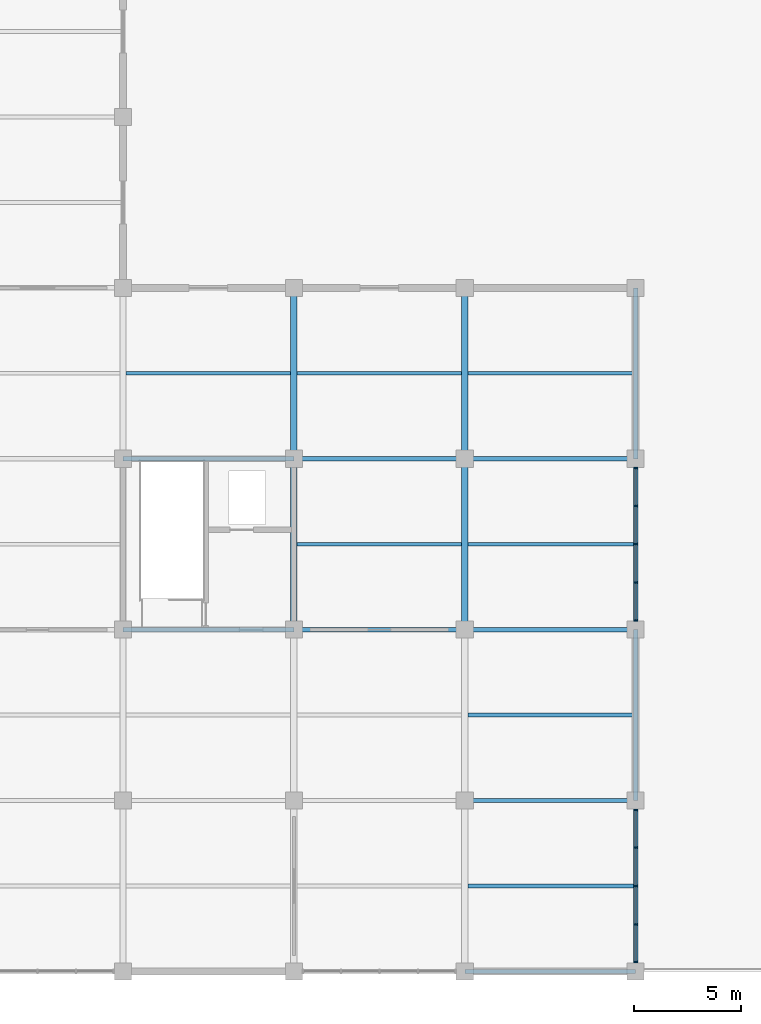
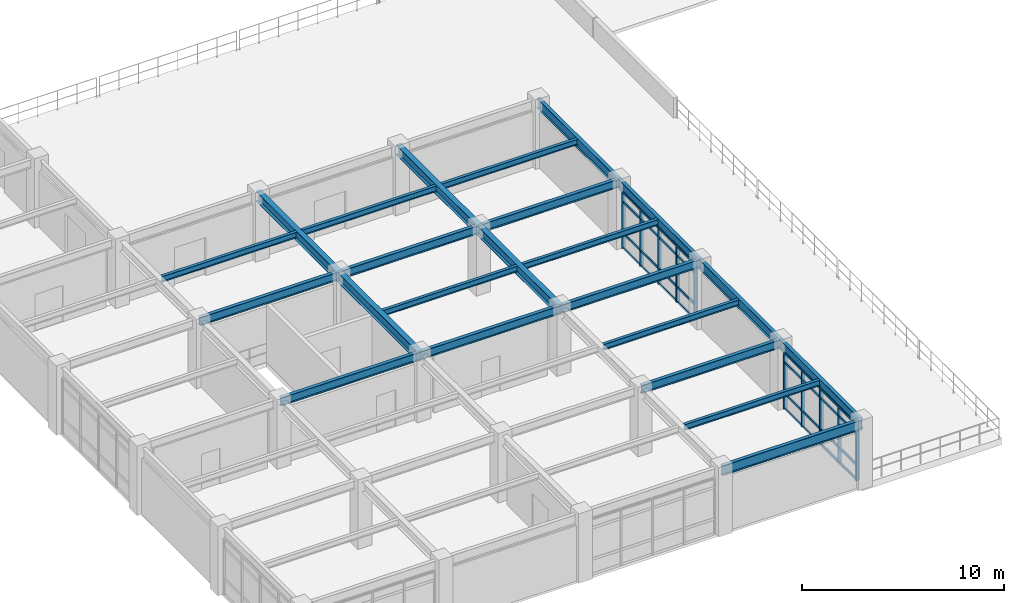
# One storey, part 35 of 118: 42 members, 23 beams, 2 elements without a shape of their own.
"""IFC4 building model written with IfcOpenShell, lengths in metres."""

from ifc_helpers import new_model, si_unit, direction, frame, origin, origin_2d, place, context, subcontext, project, spatial, rectangle, i_section, extrude, material, layer, layer_set, material_profile, profile_set, type_object, element, aggregate, save


model = new_model("IFC4")

# Units and contexts
model_context = context("Model", 3, precision=1e-05, world=origin(), true_north=direction((0.0, 1.0)))
body_context = subcontext(model_context, "Body", "Model", "MODEL_VIEW")
ifc_project = project(units=[si_unit("LENGTHUNIT", "METRE"), si_unit("AREAUNIT", "SQUARE_METRE"), si_unit("VOLUMEUNIT", "CUBIC_METRE"), si_unit("PLANEANGLEUNIT", "RADIAN"), si_unit("MASSUNIT", "GRAM", prefix="KILO")], contexts=[model_context])

# Site, building, storey
site_placement = place(None, origin())
site = spatial("IfcSite", under=ifc_project, at=site_placement, CompositionType="ELEMENT")
building_placement = place(site_placement, origin())
building = spatial("IfcBuilding", under=site, at=building_placement, Name="Haebicheon Civic Stadium", CompositionType="ELEMENT")
storey_placement = place(building_placement, frame((0.0, 0.0, 14.39990234375)))
storey = spatial("IfcBuildingStorey", under=building, at=storey_placement, Name="L04", CompositionType="ELEMENT", Elevation=14.39990234375)

# Beams
ifc_material_1 = material(Name="Steel SM355 (S355)", Category="steel")
ifc_material_profile_1 = material_profile(ifc_material_1, i_section(OverallWidth=0.199951171875, OverallDepth=0.5, WebThickness=0.010009765625, FlangeThickness=0.01611328125, at=origin_2d()), Name="H-500x200x10x16")
ifc_profile_set_1 = profile_set([ifc_material_profile_1], Name="Steel SM355 (S355)")
beam_type_1 = type_object("IfcBeamType", Name="BM-ST-H500", PredefinedType="BEAM", material=ifc_profile_set_1)
for number, where, z_axis, x_axis, name in (
    (1, (168.0, 16.0, 3.72998046875), (1.0, 0.0, 0.0), (0.0, 1.0, 0.0), "L04 beam C/22-23"),
    (2, (168.0, 24.0, 3.72998046875), (1.0, 0.0, 0.0), (0.0, 1.0, 0.0), "L04 beam D/22-23"),
    (3, (176.0, 16.0, 3.72998046875), (1.0, 0.0, 0.0), (0.0, 1.0, 0.0), "L04 beam C/23-24"),
    (4, (176.0, 24.0, 3.72998046875), (1.0, 0.0, 0.0), (0.0, 1.0, 0.0), "L04 beam D/23-24"),
    (5, (184.0, 8.0, 3.72998046875), (1.0, 0.0, 0.0), (0.0, 1.0, 0.0), "L04 beam B/24-25"),
    (6, (184.0, 16.0, 3.72998046875), (1.0, 0.0, 0.0), (0.0, 1.0, 0.0), "L04 beam C/24-25"),
    (7, (184.0, 24.0, 3.72998046875), (1.0, 0.0, 0.0), (0.0, 1.0, 0.0), "L04 beam D/24-25"),
):
    element("IfcBeam", number, at=place(storey_placement, frame(where, z_axis=z_axis, x_axis=x_axis)), inside=storey, type_object=beam_type_1, material=ifc_profile_set_1, Name=name, PredefinedType="BEAM", context=body_context, shape_type="SweptSolid", body=[
        extrude(i_section(OverallWidth=0.199951171875, OverallDepth=0.5, WebThickness=0.010009765625, FlangeThickness=0.01611328125, at=origin_2d()), origin(), (0.0, 0.0, 1.0), 8.0),
    ])
ifc_material_2 = material(Name="Steel SM355 (S355)", Category="steel")
ifc_material_profile_2 = material_profile(ifc_material_2, i_section(OverallWidth=0.300048828125, OverallDepth=0.60009765625, WebThickness=0.011962890625, FlangeThickness=0.02001953125, at=origin_2d()), Name="H-600x300x12x20")
ifc_profile_set_2 = profile_set([ifc_material_profile_2], Name="Steel SM355 (S355)")
beam_type_2 = type_object("IfcBeamType", Name="BM-ST-H600A", PredefinedType="BEAM", material=ifc_profile_set_2)
for number, where, z_axis, x_axis, name in (
    (8, (176.0, 16.0, 3.68017578125), (0.0, 1.0, 0.0), (-1.0, 0.0, 0.0), "L04 girder 23/C-D"),
    (9, (176.0, 24.0, 3.68017578125), (0.0, 1.0, 0.0), (-1.0, 0.0, 0.0), "L04 girder 23/D-E"),
    (10, (184.0, 16.0, 3.68017578125), (0.0, 1.0, 0.0), (-1.0, 0.0, 0.0), "L04 girder 24/C-D"),
    (11, (184.0, 24.0, 3.68017578125), (0.0, 1.0, 0.0), (-1.0, 0.0, 0.0), "L04 girder 24/D-E"),
):
    element("IfcBeam", number, at=place(storey_placement, frame(where, z_axis=z_axis, x_axis=x_axis)), inside=storey, type_object=beam_type_2, material=ifc_profile_set_2, Name=name, PredefinedType="BEAM", context=body_context, shape_type="SweptSolid", body=[
        extrude(i_section(OverallWidth=0.300048828125, OverallDepth=0.60009765625, WebThickness=0.011962890625, FlangeThickness=0.02001953125, at=origin_2d()), origin(), (0.0, 0.0, 1.0), 8.0),
    ])

# Curtain wall, members
ifc_material_3 = material(Name="Anodised aluminium and laminated glass", Category="aluminium")
ifc_layer = layer(ifc_material_3, 0.179931640625, Name="Anodised aluminium and laminated glass")
ifc_layer_set = layer_set([ifc_layer], Name="Anodised aluminium and laminated glass")
curtain_wall_type = type_object("IfcCurtainWallType", Name="CW-7200x3350", PredefinedType="NOTDEFINED", material=ifc_layer_set)
curtain_wall_1_placement = place(storey_placement, origin())
curtain_wall_1 = element("IfcCurtainWall", 12, at=curtain_wall_1_placement, inside=storey, type_object=curtain_wall_type, material=ifc_layer_set, Name="L04 unitised curtain wall 165", PredefinedType="NOTDEFINED")
ifc_material_4 = material(Name="Anodised aluminium 6063-T6", Category="aluminium")
ifc_material_profile_3 = material_profile(ifc_material_4, rectangle(XDim=0.070068359375, YDim=0.199951171875, at=origin_2d()), Name="ALU-MULL-70x200")
ifc_profile_set_3 = profile_set([ifc_material_profile_3], Name="Anodised aluminium 6063-T6")
member_type_1 = type_object("IfcMemberType", Name="CWM-200x70", PredefinedType="MULLION", material=ifc_profile_set_3)
member_1_placement = place(storey_placement, frame((192.0, 0.43505859375, 0.0), z_axis=(0.0, 0.0, 1.0), x_axis=(0.0, 1.0, 0.0)))
member_1 = element("IfcMember", 13, at=member_1_placement, type_object=member_type_1, material=ifc_profile_set_3, Name="CW-L04-165 vertical mullion 1", PredefinedType="MULLION", context=body_context, shape_type="SweptSolid", body=[
    extrude(rectangle(XDim=0.070068359375, YDim=0.199951171875, at=origin_2d()), origin(), (0.0, 0.0, 1.0), 3.35009765625),
])
member_2_placement = place(storey_placement, frame((192.0, 2.199951171875, 0.0), z_axis=(0.0, 0.0, 1.0), x_axis=(0.0, 1.0, 0.0)))
member_2 = element("IfcMember", 14, at=member_2_placement, type_object=member_type_1, material=ifc_profile_set_3, Name="CW-L04-165 vertical mullion 2", PredefinedType="MULLION", context=body_context, shape_type="SweptSolid", body=[
    extrude(rectangle(XDim=0.070068359375, YDim=0.199951171875, at=origin_2d()), origin(), (0.0, 0.0, 1.0), 3.35009765625),
])
member_3_placement = place(storey_placement, frame((192.0, 4.0, 0.0), z_axis=(0.0, 0.0, 1.0), x_axis=(0.0, 1.0, 0.0)))
member_3 = element("IfcMember", 15, at=member_3_placement, type_object=member_type_1, material=ifc_profile_set_3, Name="CW-L04-165 vertical mullion 3", PredefinedType="MULLION", context=body_context, shape_type="SweptSolid", body=[
    extrude(rectangle(XDim=0.070068359375, YDim=0.199951171875, at=origin_2d()), origin(), (0.0, 0.0, 1.0), 3.35009765625),
])
member_4_placement = place(storey_placement, frame((192.0, 5.800048828125, 0.0), z_axis=(0.0, 0.0, 1.0), x_axis=(0.0, 1.0, 0.0)))
member_4 = element("IfcMember", 16, at=member_4_placement, type_object=member_type_1, material=ifc_profile_set_3, Name="CW-L04-165 vertical mullion 4", PredefinedType="MULLION", context=body_context, shape_type="SweptSolid", body=[
    extrude(rectangle(XDim=0.070068359375, YDim=0.199951171875, at=origin_2d()), origin(), (0.0, 0.0, 1.0), 3.35009765625),
])
member_5_placement = place(storey_placement, frame((192.0, 7.56494140625, 0.0), z_axis=(0.0, 0.0, 1.0), x_axis=(0.0, 1.0, 0.0)))
member_5 = element("IfcMember", 17, at=member_5_placement, type_object=member_type_1, material=ifc_profile_set_3, Name="CW-L04-165 vertical mullion 5", PredefinedType="MULLION", context=body_context, shape_type="SweptSolid", body=[
    extrude(rectangle(XDim=0.070068359375, YDim=0.199951171875, at=origin_2d()), origin(), (0.0, 0.0, 1.0), 3.35009765625),
])

curtain_wall_2_placement = place(storey_placement, origin())
curtain_wall_2 = element("IfcCurtainWall", 18, at=curtain_wall_2_placement, inside=storey, type_object=curtain_wall_type, material=ifc_layer_set, Name="L04 unitised curtain wall 166", PredefinedType="NOTDEFINED")
member_6_placement = place(storey_placement, frame((192.0, 16.43505859375, 0.0), z_axis=(0.0, 0.0, 1.0), x_axis=(0.0, 1.0, 0.0)))
member_6 = element("IfcMember", 19, at=member_6_placement, type_object=member_type_1, material=ifc_profile_set_3, Name="CW-L04-166 vertical mullion 1", PredefinedType="MULLION", context=body_context, shape_type="SweptSolid", body=[
    extrude(rectangle(XDim=0.070068359375, YDim=0.199951171875, at=origin_2d()), origin(), (0.0, 0.0, 1.0), 3.35009765625),
])
member_7_placement = place(storey_placement, frame((192.0, 18.199951171875, 0.0), z_axis=(0.0, 0.0, 1.0), x_axis=(0.0, 1.0, 0.0)))
member_7 = element("IfcMember", 20, at=member_7_placement, type_object=member_type_1, material=ifc_profile_set_3, Name="CW-L04-166 vertical mullion 2", PredefinedType="MULLION", context=body_context, shape_type="SweptSolid", body=[
    extrude(rectangle(XDim=0.070068359375, YDim=0.199951171875, at=origin_2d()), origin(), (0.0, 0.0, 1.0), 3.35009765625),
])
member_8_placement = place(storey_placement, frame((192.0, 20.0, 0.0), z_axis=(0.0, 0.0, 1.0), x_axis=(0.0, 1.0, 0.0)))
member_8 = element("IfcMember", 21, at=member_8_placement, type_object=member_type_1, material=ifc_profile_set_3, Name="CW-L04-166 vertical mullion 3", PredefinedType="MULLION", context=body_context, shape_type="SweptSolid", body=[
    extrude(rectangle(XDim=0.070068359375, YDim=0.199951171875, at=origin_2d()), origin(), (0.0, 0.0, 1.0), 3.35009765625),
])
member_9_placement = place(storey_placement, frame((192.0, 21.800048828125, 0.0), z_axis=(0.0, 0.0, 1.0), x_axis=(0.0, 1.0, 0.0)))
member_9 = element("IfcMember", 22, at=member_9_placement, type_object=member_type_1, material=ifc_profile_set_3, Name="CW-L04-166 vertical mullion 4", PredefinedType="MULLION", context=body_context, shape_type="SweptSolid", body=[
    extrude(rectangle(XDim=0.070068359375, YDim=0.199951171875, at=origin_2d()), origin(), (0.0, 0.0, 1.0), 3.35009765625),
])
member_10_placement = place(storey_placement, frame((192.0, 23.56494140625, 0.0), z_axis=(0.0, 0.0, 1.0), x_axis=(0.0, 1.0, 0.0)))
member_10 = element("IfcMember", 23, at=member_10_placement, type_object=member_type_1, material=ifc_profile_set_3, Name="CW-L04-166 vertical mullion 5", PredefinedType="MULLION", context=body_context, shape_type="SweptSolid", body=[
    extrude(rectangle(XDim=0.070068359375, YDim=0.199951171875, at=origin_2d()), origin(), (0.0, 0.0, 1.0), 3.35009765625),
])

# Member
ifc_material_5 = material(Name="Anodised aluminium 6063-T6", Category="aluminium")
ifc_material_profile_4 = material_profile(ifc_material_5, rectangle(XDim=0.070068359375, YDim=0.14990234375, at=origin_2d()), Name="ALU-TRAN-70x150")
ifc_profile_set_4 = profile_set([ifc_material_profile_4], Name="Anodised aluminium 6063-T6")
member_type_2 = type_object("IfcMemberType", Name="CWT-150x70", PredefinedType="NOTDEFINED", material=ifc_profile_set_4)
member_11_placement = place(storey_placement, frame((192.0, 0.469970703125, 0.0), z_axis=(0.0, 1.0, 0.0), x_axis=(-1.0, 0.0, 0.0)))
member_11 = element("IfcMember", 24, at=member_11_placement, type_object=member_type_2, material=ifc_profile_set_4, Name="CW-L04-165 horizontal transom 1.1", ObjectType="TRANSOM", PredefinedType="USERDEFINED", context=body_context, shape_type="SweptSolid", body=[
    extrude(rectangle(XDim=0.070068359375, YDim=0.14990234375, at=origin_2d()), origin(), (0.0, 0.0, 1.0), 1.695068359375),
])

member_12_placement = place(storey_placement, frame((192.0, 0.469970703125, 0.900146484375), z_axis=(0.0, 1.0, 0.0), x_axis=(-1.0, 0.0, 0.0)))
member_12 = element("IfcMember", 25, at=member_12_placement, type_object=member_type_2, material=ifc_profile_set_4, Name="CW-L04-165 horizontal transom 1.2", ObjectType="TRANSOM", PredefinedType="USERDEFINED", context=body_context, shape_type="SweptSolid", body=[
    extrude(rectangle(XDim=0.070068359375, YDim=0.14990234375, at=origin_2d()), origin(), (0.0, 0.0, 1.0), 1.695068359375),
])

member_13_placement = place(storey_placement, frame((192.0, 0.469970703125, 2.800048828125), z_axis=(0.0, 1.0, 0.0), x_axis=(-1.0, 0.0, 0.0)))
member_13 = element("IfcMember", 26, at=member_13_placement, type_object=member_type_2, material=ifc_profile_set_4, Name="CW-L04-165 horizontal transom 1.3", ObjectType="TRANSOM", PredefinedType="USERDEFINED", context=body_context, shape_type="SweptSolid", body=[
    extrude(rectangle(XDim=0.070068359375, YDim=0.14990234375, at=origin_2d()), origin(), (0.0, 0.0, 1.0), 1.695068359375),
])

member_14_placement = place(storey_placement, frame((192.0, 0.469970703125, 3.35009765625), z_axis=(0.0, 1.0, 0.0), x_axis=(-1.0, 0.0, 0.0)))
member_14 = element("IfcMember", 27, at=member_14_placement, type_object=member_type_2, material=ifc_profile_set_4, Name="CW-L04-165 horizontal transom 1.4", ObjectType="TRANSOM", PredefinedType="USERDEFINED", context=body_context, shape_type="SweptSolid", body=[
    extrude(rectangle(XDim=0.070068359375, YDim=0.14990234375, at=origin_2d()), origin(), (0.0, 0.0, 1.0), 1.695068359375),
])

member_15_placement = place(storey_placement, frame((192.0, 2.235107421875, 0.0), z_axis=(0.0, 1.0, 0.0), x_axis=(-1.0, 0.0, 0.0)))
member_15 = element("IfcMember", 28, at=member_15_placement, type_object=member_type_2, material=ifc_profile_set_4, Name="CW-L04-165 horizontal transom 2.1", ObjectType="TRANSOM", PredefinedType="USERDEFINED", context=body_context, shape_type="SweptSolid", body=[
    extrude(rectangle(XDim=0.070068359375, YDim=0.14990234375, at=origin_2d()), origin(), (0.0, 0.0, 1.0), 1.72998046875),
])

member_16_placement = place(storey_placement, frame((192.0, 2.235107421875, 0.900146484375), z_axis=(0.0, 1.0, 0.0), x_axis=(-1.0, 0.0, 0.0)))
member_16 = element("IfcMember", 29, at=member_16_placement, type_object=member_type_2, material=ifc_profile_set_4, Name="CW-L04-165 horizontal transom 2.2", ObjectType="TRANSOM", PredefinedType="USERDEFINED", context=body_context, shape_type="SweptSolid", body=[
    extrude(rectangle(XDim=0.070068359375, YDim=0.14990234375, at=origin_2d()), origin(), (0.0, 0.0, 1.0), 1.72998046875),
])

member_17_placement = place(storey_placement, frame((192.0, 2.235107421875, 2.800048828125), z_axis=(0.0, 1.0, 0.0), x_axis=(-1.0, 0.0, 0.0)))
member_17 = element("IfcMember", 30, at=member_17_placement, type_object=member_type_2, material=ifc_profile_set_4, Name="CW-L04-165 horizontal transom 2.3", ObjectType="TRANSOM", PredefinedType="USERDEFINED", context=body_context, shape_type="SweptSolid", body=[
    extrude(rectangle(XDim=0.070068359375, YDim=0.14990234375, at=origin_2d()), origin(), (0.0, 0.0, 1.0), 1.72998046875),
])

member_18_placement = place(storey_placement, frame((192.0, 2.235107421875, 3.35009765625), z_axis=(0.0, 1.0, 0.0), x_axis=(-1.0, 0.0, 0.0)))
member_18 = element("IfcMember", 31, at=member_18_placement, type_object=member_type_2, material=ifc_profile_set_4, Name="CW-L04-165 horizontal transom 2.4", ObjectType="TRANSOM", PredefinedType="USERDEFINED", context=body_context, shape_type="SweptSolid", body=[
    extrude(rectangle(XDim=0.070068359375, YDim=0.14990234375, at=origin_2d()), origin(), (0.0, 0.0, 1.0), 1.72998046875),
])

member_19_placement = place(storey_placement, frame((192.0, 4.034912109375, 0.0), z_axis=(0.0, 1.0, 0.0), x_axis=(-1.0, 0.0, 0.0)))
member_19 = element("IfcMember", 32, at=member_19_placement, type_object=member_type_2, material=ifc_profile_set_4, Name="CW-L04-165 horizontal transom 3.1", ObjectType="TRANSOM", PredefinedType="USERDEFINED", context=body_context, shape_type="SweptSolid", body=[
    extrude(rectangle(XDim=0.070068359375, YDim=0.14990234375, at=origin_2d()), origin(), (0.0, 0.0, 1.0), 1.72998046875),
])

member_20_placement = place(storey_placement, frame((192.0, 4.034912109375, 0.900146484375), z_axis=(0.0, 1.0, 0.0), x_axis=(-1.0, 0.0, 0.0)))
member_20 = element("IfcMember", 33, at=member_20_placement, type_object=member_type_2, material=ifc_profile_set_4, Name="CW-L04-165 horizontal transom 3.2", ObjectType="TRANSOM", PredefinedType="USERDEFINED", context=body_context, shape_type="SweptSolid", body=[
    extrude(rectangle(XDim=0.070068359375, YDim=0.14990234375, at=origin_2d()), origin(), (0.0, 0.0, 1.0), 1.72998046875),
])

member_21_placement = place(storey_placement, frame((192.0, 4.034912109375, 2.800048828125), z_axis=(0.0, 1.0, 0.0), x_axis=(-1.0, 0.0, 0.0)))
member_21 = element("IfcMember", 34, at=member_21_placement, type_object=member_type_2, material=ifc_profile_set_4, Name="CW-L04-165 horizontal transom 3.3", ObjectType="TRANSOM", PredefinedType="USERDEFINED", context=body_context, shape_type="SweptSolid", body=[
    extrude(rectangle(XDim=0.070068359375, YDim=0.14990234375, at=origin_2d()), origin(), (0.0, 0.0, 1.0), 1.72998046875),
])

member_22_placement = place(storey_placement, frame((192.0, 4.034912109375, 3.35009765625), z_axis=(0.0, 1.0, 0.0), x_axis=(-1.0, 0.0, 0.0)))
member_22 = element("IfcMember", 35, at=member_22_placement, type_object=member_type_2, material=ifc_profile_set_4, Name="CW-L04-165 horizontal transom 3.4", ObjectType="TRANSOM", PredefinedType="USERDEFINED", context=body_context, shape_type="SweptSolid", body=[
    extrude(rectangle(XDim=0.070068359375, YDim=0.14990234375, at=origin_2d()), origin(), (0.0, 0.0, 1.0), 1.72998046875),
])

member_23_placement = place(storey_placement, frame((192.0, 5.8349609375, 0.0), z_axis=(0.0, 1.0, 0.0), x_axis=(-1.0, 0.0, 0.0)))
member_23 = element("IfcMember", 36, at=member_23_placement, type_object=member_type_2, material=ifc_profile_set_4, Name="CW-L04-165 horizontal transom 4.1", ObjectType="TRANSOM", PredefinedType="USERDEFINED", context=body_context, shape_type="SweptSolid", body=[
    extrude(rectangle(XDim=0.070068359375, YDim=0.14990234375, at=origin_2d()), origin(), (0.0, 0.0, 1.0), 1.695068359375),
])

member_24_placement = place(storey_placement, frame((192.0, 5.8349609375, 0.900146484375), z_axis=(0.0, 1.0, 0.0), x_axis=(-1.0, 0.0, 0.0)))
member_24 = element("IfcMember", 37, at=member_24_placement, type_object=member_type_2, material=ifc_profile_set_4, Name="CW-L04-165 horizontal transom 4.2", ObjectType="TRANSOM", PredefinedType="USERDEFINED", context=body_context, shape_type="SweptSolid", body=[
    extrude(rectangle(XDim=0.070068359375, YDim=0.14990234375, at=origin_2d()), origin(), (0.0, 0.0, 1.0), 1.695068359375),
])

member_25_placement = place(storey_placement, frame((192.0, 5.8349609375, 2.800048828125), z_axis=(0.0, 1.0, 0.0), x_axis=(-1.0, 0.0, 0.0)))
member_25 = element("IfcMember", 38, at=member_25_placement, type_object=member_type_2, material=ifc_profile_set_4, Name="CW-L04-165 horizontal transom 4.3", ObjectType="TRANSOM", PredefinedType="USERDEFINED", context=body_context, shape_type="SweptSolid", body=[
    extrude(rectangle(XDim=0.070068359375, YDim=0.14990234375, at=origin_2d()), origin(), (0.0, 0.0, 1.0), 1.695068359375),
])

member_26_placement = place(storey_placement, frame((192.0, 5.8349609375, 3.35009765625), z_axis=(0.0, 1.0, 0.0), x_axis=(-1.0, 0.0, 0.0)))
member_26 = element("IfcMember", 39, at=member_26_placement, type_object=member_type_2, material=ifc_profile_set_4, Name="CW-L04-165 horizontal transom 4.4", ObjectType="TRANSOM", PredefinedType="USERDEFINED", context=body_context, shape_type="SweptSolid", body=[
    extrude(rectangle(XDim=0.070068359375, YDim=0.14990234375, at=origin_2d()), origin(), (0.0, 0.0, 1.0), 1.695068359375),
])

aggregate(curtain_wall_1, [member_1, member_2, member_3, member_4, member_5, member_11, member_12, member_13, member_14, member_15, member_16, member_17, member_18, member_19, member_20, member_21, member_22, member_23, member_24, member_25, member_26])

member_27_placement = place(storey_placement, frame((192.0, 16.469970703125, 0.0), z_axis=(0.0, 1.0, 0.0), x_axis=(-1.0, 0.0, 0.0)))
member_27 = element("IfcMember", 40, at=member_27_placement, type_object=member_type_2, material=ifc_profile_set_4, Name="CW-L04-166 horizontal transom 1.1", ObjectType="TRANSOM", PredefinedType="USERDEFINED", context=body_context, shape_type="SweptSolid", body=[
    extrude(rectangle(XDim=0.070068359375, YDim=0.14990234375, at=origin_2d()), origin(), (0.0, 0.0, 1.0), 1.695068359375),
])

member_28_placement = place(storey_placement, frame((192.0, 16.469970703125, 0.900146484375), z_axis=(0.0, 1.0, 0.0), x_axis=(-1.0, 0.0, 0.0)))
member_28 = element("IfcMember", 41, at=member_28_placement, type_object=member_type_2, material=ifc_profile_set_4, Name="CW-L04-166 horizontal transom 1.2", ObjectType="TRANSOM", PredefinedType="USERDEFINED", context=body_context, shape_type="SweptSolid", body=[
    extrude(rectangle(XDim=0.070068359375, YDim=0.14990234375, at=origin_2d()), origin(), (0.0, 0.0, 1.0), 1.695068359375),
])

member_29_placement = place(storey_placement, frame((192.0, 16.469970703125, 2.800048828125), z_axis=(0.0, 1.0, 0.0), x_axis=(-1.0, 0.0, 0.0)))
member_29 = element("IfcMember", 42, at=member_29_placement, type_object=member_type_2, material=ifc_profile_set_4, Name="CW-L04-166 horizontal transom 1.3", ObjectType="TRANSOM", PredefinedType="USERDEFINED", context=body_context, shape_type="SweptSolid", body=[
    extrude(rectangle(XDim=0.070068359375, YDim=0.14990234375, at=origin_2d()), origin(), (0.0, 0.0, 1.0), 1.695068359375),
])

member_30_placement = place(storey_placement, frame((192.0, 16.469970703125, 3.35009765625), z_axis=(0.0, 1.0, 0.0), x_axis=(-1.0, 0.0, 0.0)))
member_30 = element("IfcMember", 43, at=member_30_placement, type_object=member_type_2, material=ifc_profile_set_4, Name="CW-L04-166 horizontal transom 1.4", ObjectType="TRANSOM", PredefinedType="USERDEFINED", context=body_context, shape_type="SweptSolid", body=[
    extrude(rectangle(XDim=0.070068359375, YDim=0.14990234375, at=origin_2d()), origin(), (0.0, 0.0, 1.0), 1.695068359375),
])

member_31_placement = place(storey_placement, frame((192.0, 18.235107421875, 0.0), z_axis=(0.0, 1.0, 0.0), x_axis=(-1.0, 0.0, 0.0)))
member_31 = element("IfcMember", 44, at=member_31_placement, type_object=member_type_2, material=ifc_profile_set_4, Name="CW-L04-166 horizontal transom 2.1", ObjectType="TRANSOM", PredefinedType="USERDEFINED", context=body_context, shape_type="SweptSolid", body=[
    extrude(rectangle(XDim=0.070068359375, YDim=0.14990234375, at=origin_2d()), origin(), (0.0, 0.0, 1.0), 1.72998046875),
])

member_32_placement = place(storey_placement, frame((192.0, 18.235107421875, 0.900146484375), z_axis=(0.0, 1.0, 0.0), x_axis=(-1.0, 0.0, 0.0)))
member_32 = element("IfcMember", 45, at=member_32_placement, type_object=member_type_2, material=ifc_profile_set_4, Name="CW-L04-166 horizontal transom 2.2", ObjectType="TRANSOM", PredefinedType="USERDEFINED", context=body_context, shape_type="SweptSolid", body=[
    extrude(rectangle(XDim=0.070068359375, YDim=0.14990234375, at=origin_2d()), origin(), (0.0, 0.0, 1.0), 1.72998046875),
])

member_33_placement = place(storey_placement, frame((192.0, 18.235107421875, 2.800048828125), z_axis=(0.0, 1.0, 0.0), x_axis=(-1.0, 0.0, 0.0)))
member_33 = element("IfcMember", 46, at=member_33_placement, type_object=member_type_2, material=ifc_profile_set_4, Name="CW-L04-166 horizontal transom 2.3", ObjectType="TRANSOM", PredefinedType="USERDEFINED", context=body_context, shape_type="SweptSolid", body=[
    extrude(rectangle(XDim=0.070068359375, YDim=0.14990234375, at=origin_2d()), origin(), (0.0, 0.0, 1.0), 1.72998046875),
])

member_34_placement = place(storey_placement, frame((192.0, 18.235107421875, 3.35009765625), z_axis=(0.0, 1.0, 0.0), x_axis=(-1.0, 0.0, 0.0)))
member_34 = element("IfcMember", 47, at=member_34_placement, type_object=member_type_2, material=ifc_profile_set_4, Name="CW-L04-166 horizontal transom 2.4", ObjectType="TRANSOM", PredefinedType="USERDEFINED", context=body_context, shape_type="SweptSolid", body=[
    extrude(rectangle(XDim=0.070068359375, YDim=0.14990234375, at=origin_2d()), origin(), (0.0, 0.0, 1.0), 1.72998046875),
])

member_35_placement = place(storey_placement, frame((192.0, 20.034912109375, 0.0), z_axis=(0.0, 1.0, 0.0), x_axis=(-1.0, 0.0, 0.0)))
member_35 = element("IfcMember", 48, at=member_35_placement, type_object=member_type_2, material=ifc_profile_set_4, Name="CW-L04-166 horizontal transom 3.1", ObjectType="TRANSOM", PredefinedType="USERDEFINED", context=body_context, shape_type="SweptSolid", body=[
    extrude(rectangle(XDim=0.070068359375, YDim=0.14990234375, at=origin_2d()), origin(), (0.0, 0.0, 1.0), 1.72998046875),
])

member_36_placement = place(storey_placement, frame((192.0, 20.034912109375, 0.900146484375), z_axis=(0.0, 1.0, 0.0), x_axis=(-1.0, 0.0, 0.0)))
member_36 = element("IfcMember", 49, at=member_36_placement, type_object=member_type_2, material=ifc_profile_set_4, Name="CW-L04-166 horizontal transom 3.2", ObjectType="TRANSOM", PredefinedType="USERDEFINED", context=body_context, shape_type="SweptSolid", body=[
    extrude(rectangle(XDim=0.070068359375, YDim=0.14990234375, at=origin_2d()), origin(), (0.0, 0.0, 1.0), 1.72998046875),
])

member_37_placement = place(storey_placement, frame((192.0, 20.034912109375, 2.800048828125), z_axis=(0.0, 1.0, 0.0), x_axis=(-1.0, 0.0, 0.0)))
member_37 = element("IfcMember", 50, at=member_37_placement, type_object=member_type_2, material=ifc_profile_set_4, Name="CW-L04-166 horizontal transom 3.3", ObjectType="TRANSOM", PredefinedType="USERDEFINED", context=body_context, shape_type="SweptSolid", body=[
    extrude(rectangle(XDim=0.070068359375, YDim=0.14990234375, at=origin_2d()), origin(), (0.0, 0.0, 1.0), 1.72998046875),
])

member_38_placement = place(storey_placement, frame((192.0, 20.034912109375, 3.35009765625), z_axis=(0.0, 1.0, 0.0), x_axis=(-1.0, 0.0, 0.0)))
member_38 = element("IfcMember", 51, at=member_38_placement, type_object=member_type_2, material=ifc_profile_set_4, Name="CW-L04-166 horizontal transom 3.4", ObjectType="TRANSOM", PredefinedType="USERDEFINED", context=body_context, shape_type="SweptSolid", body=[
    extrude(rectangle(XDim=0.070068359375, YDim=0.14990234375, at=origin_2d()), origin(), (0.0, 0.0, 1.0), 1.72998046875),
])

member_39_placement = place(storey_placement, frame((192.0, 21.8349609375, 0.0), z_axis=(0.0, 1.0, 0.0), x_axis=(-1.0, 0.0, 0.0)))
member_39 = element("IfcMember", 52, at=member_39_placement, type_object=member_type_2, material=ifc_profile_set_4, Name="CW-L04-166 horizontal transom 4.1", ObjectType="TRANSOM", PredefinedType="USERDEFINED", context=body_context, shape_type="SweptSolid", body=[
    extrude(rectangle(XDim=0.070068359375, YDim=0.14990234375, at=origin_2d()), origin(), (0.0, 0.0, 1.0), 1.695068359375),
])

member_40_placement = place(storey_placement, frame((192.0, 21.8349609375, 0.900146484375), z_axis=(0.0, 1.0, 0.0), x_axis=(-1.0, 0.0, 0.0)))
member_40 = element("IfcMember", 53, at=member_40_placement, type_object=member_type_2, material=ifc_profile_set_4, Name="CW-L04-166 horizontal transom 4.2", ObjectType="TRANSOM", PredefinedType="USERDEFINED", context=body_context, shape_type="SweptSolid", body=[
    extrude(rectangle(XDim=0.070068359375, YDim=0.14990234375, at=origin_2d()), origin(), (0.0, 0.0, 1.0), 1.695068359375),
])

member_41_placement = place(storey_placement, frame((192.0, 21.8349609375, 2.800048828125), z_axis=(0.0, 1.0, 0.0), x_axis=(-1.0, 0.0, 0.0)))
member_41 = element("IfcMember", 54, at=member_41_placement, type_object=member_type_2, material=ifc_profile_set_4, Name="CW-L04-166 horizontal transom 4.3", ObjectType="TRANSOM", PredefinedType="USERDEFINED", context=body_context, shape_type="SweptSolid", body=[
    extrude(rectangle(XDim=0.070068359375, YDim=0.14990234375, at=origin_2d()), origin(), (0.0, 0.0, 1.0), 1.695068359375),
])

member_42_placement = place(storey_placement, frame((192.0, 21.8349609375, 3.35009765625), z_axis=(0.0, 1.0, 0.0), x_axis=(-1.0, 0.0, 0.0)))
member_42 = element("IfcMember", 55, at=member_42_placement, type_object=member_type_2, material=ifc_profile_set_4, Name="CW-L04-166 horizontal transom 4.4", ObjectType="TRANSOM", PredefinedType="USERDEFINED", context=body_context, shape_type="SweptSolid", body=[
    extrude(rectangle(XDim=0.070068359375, YDim=0.14990234375, at=origin_2d()), origin(), (0.0, 0.0, 1.0), 1.695068359375),
])

aggregate(curtain_wall_2, [member_6, member_7, member_8, member_9, member_10, member_27, member_28, member_29, member_30, member_31, member_32, member_33, member_34, member_35, member_36, member_37, member_38, member_39, member_40, member_41, member_42])

# Beams
ifc_material_6 = material(Name="Steel SM355 (S355)", Category="steel")
ifc_material_profile_5 = material_profile(ifc_material_6, i_section(OverallWidth=0.175048828125, OverallDepth=0.35009765625, WebThickness=0.007080078125, FlangeThickness=0.010986328125, at=origin_2d()), Name="H-350x175x7x11")
ifc_profile_set_5 = profile_set([ifc_material_profile_5], Name="Steel SM355 (S355)")
beam_type_3 = type_object("IfcBeamType", Name="JST-ST-H350", PredefinedType="JOIST", material=ifc_profile_set_5)
for number, where, z_axis, x_axis, name in (
    (56, (168.14990234375, 28.0, 3.80517578125), (1.0, 0.0, 0.0), (0.0, 1.0, 0.0), "L04 secondary joist 21-03"),
    (57, (176.14990234375, 20.0, 3.80517578125), (1.0, 0.0, 0.0), (0.0, 1.0, 0.0), "L04 secondary joist 22-02"),
    (58, (176.14990234375, 28.0, 3.80517578125), (1.0, 0.0, 0.0), (0.0, 1.0, 0.0), "L04 secondary joist 22-03"),
):
    element("IfcBeam", number, at=place(storey_placement, frame(where, z_axis=z_axis, x_axis=x_axis)), inside=storey, type_object=beam_type_3, material=ifc_profile_set_5, Name=name, PredefinedType="JOIST", context=body_context, shape_type="SweptSolid", body=[
        extrude(i_section(OverallWidth=0.175048828125, OverallDepth=0.35009765625, WebThickness=0.007080078125, FlangeThickness=0.010986328125, at=origin_2d()), origin(), (0.0, 0.0, 1.0), 7.7001953125),
    ])
for number, where, z_axis, x_axis, name in (
    (59, (184.14990234375, 4.0, 3.80517578125), (1.0, 0.0, 0.0), (0.0, 1.0, 0.0), "L04 secondary joist 23-00"),
    (60, (184.14990234375, 12.0, 3.80517578125), (1.0, 0.0, 0.0), (0.0, 1.0, 0.0), "L04 secondary joist 23-01"),
    (61, (184.14990234375, 20.0, 3.80517578125), (1.0, 0.0, 0.0), (0.0, 1.0, 0.0), "L04 secondary joist 23-02"),
    (62, (184.14990234375, 28.0, 3.80517578125), (1.0, 0.0, 0.0), (0.0, 1.0, 0.0), "L04 secondary joist 23-03"),
):
    element("IfcBeam", number, at=place(storey_placement, frame(where, z_axis=z_axis, x_axis=x_axis)), inside=storey, type_object=beam_type_3, material=ifc_profile_set_5, Name=name, PredefinedType="JOIST", context=body_context, shape_type="SweptSolid", body=[
        extrude(i_section(OverallWidth=0.175048828125, OverallDepth=0.35009765625, WebThickness=0.007080078125, FlangeThickness=0.010986328125, at=origin_2d()), origin(), (0.0, 0.0, 1.0), 7.75),
    ])
ifc_material_7 = material(Name="Steel SM355 (S355)", Category="steel")
ifc_material_profile_6 = material_profile(ifc_material_7, i_section(OverallWidth=0.199951171875, OverallDepth=0.60009765625, WebThickness=0.010986328125, FlangeThickness=0.01708984375, at=origin_2d()), Name="H-600x200x11x17")
ifc_profile_set_6 = profile_set([ifc_material_profile_6], Name="Steel SM355 (S355)")
beam_type_4 = type_object("IfcBeamType", Name="SPD-ST-H600B", PredefinedType="SPANDREL", material=ifc_profile_set_6)
for number, where, z_axis, x_axis, name in (
    (63, (192.0, 0.0, 3.68017578125), (0.0, 1.0, 0.0), (-1.0, 0.0, 0.0), "L04 girder 25/A-B"),
    (64, (192.0, 8.0, 3.68017578125), (0.0, 1.0, 0.0), (-1.0, 0.0, 0.0), "L04 girder 25/B-C"),
    (65, (192.0, 16.0, 3.68017578125), (0.0, 1.0, 0.0), (-1.0, 0.0, 0.0), "L04 girder 25/C-D"),
    (66, (192.0, 24.0, 3.68017578125), (0.0, 1.0, 0.0), (-1.0, 0.0, 0.0), "L04 girder 25/D-E"),
    (67, (184.0, 0.0, 3.68017578125), (1.0, 0.0, 0.0), (0.0, 1.0, 0.0), "L04 beam A/24-25"),
):
    element("IfcBeam", number, at=place(storey_placement, frame(where, z_axis=z_axis, x_axis=x_axis)), inside=storey, type_object=beam_type_4, material=ifc_profile_set_6, Name=name, PredefinedType="SPANDREL", context=body_context, shape_type="SweptSolid", body=[
        extrude(i_section(OverallWidth=0.199951171875, OverallDepth=0.60009765625, WebThickness=0.010986328125, FlangeThickness=0.01708984375, at=origin_2d()), origin(), (0.0, 0.0, 1.0), 8.0),
    ])

save(model, "model.ifc")
